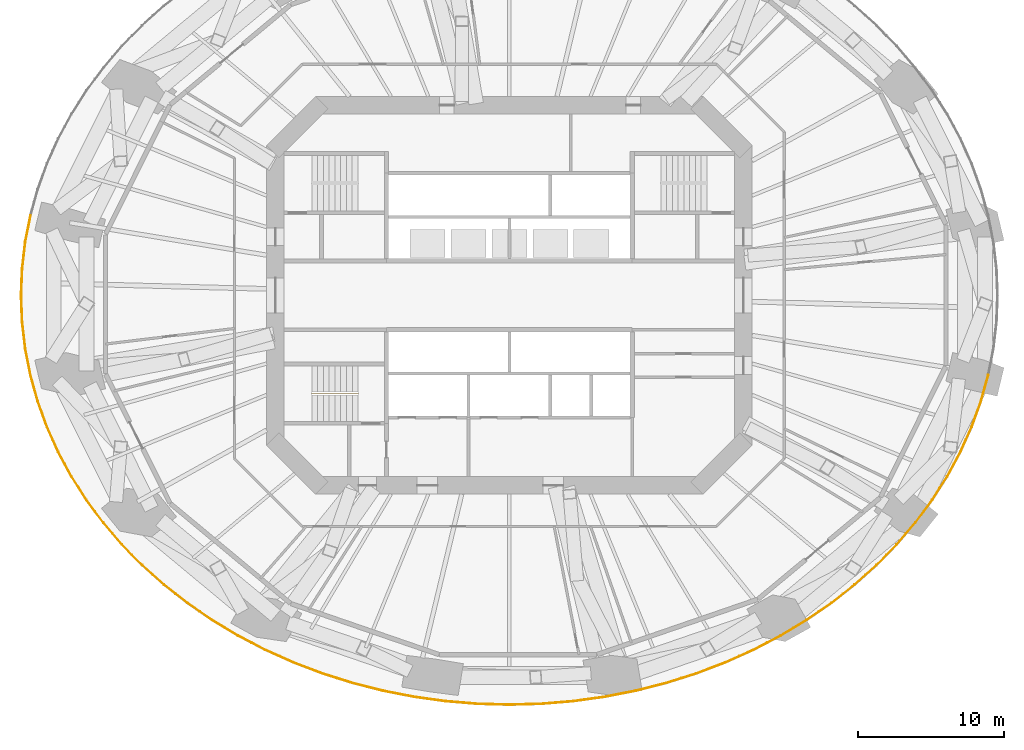
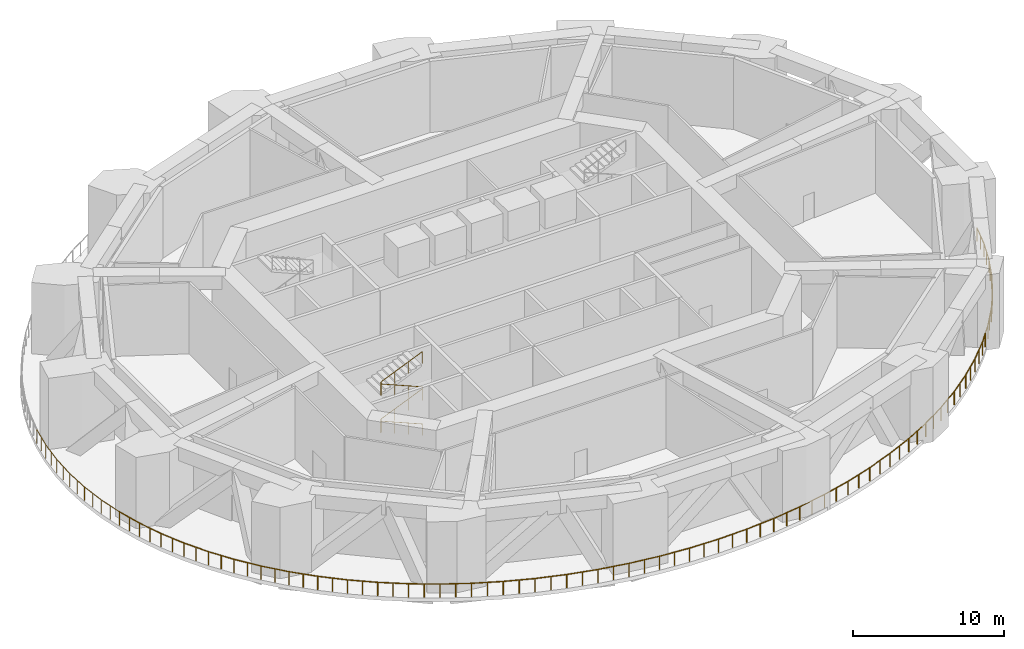
# One storey, part 9 of 12: 9 railings.
"""IFC4 building model written with IfcOpenShell, lengths in metres."""

import ifcopenshell
import ifcopenshell.guid

model = None  # the IFC model being written
_history = None  # IfcOwnerHistory: only IFC2X3 demands one
_inside = {}  # id of a spatial element -> (the spatial element, [elements in it])
_under = {}  # id of a project, library or spatial element -> (it, [spatial elements below it])
_declared = {}  # id of a project -> (the project, [libraries it declares])
_typed = {}  # id of a type object -> (the type object, [elements of that type])
_made_of = {}  # id of a material, layer set ... -> (it, [elements and type objects made of it])


def new_model(schema):
    """Start an empty IFC model of exactly this schema.

    Asked for "IFC4X3", IfcOpenShell would pick the latest addendum, in which some entities
    have other attributes; the version numbers below select the first issue.
    IFC2X3 requires an IfcOwnerHistory on every rooted entity: one is made here for all.
    """
    global model, _history
    if schema == "IFC4X3":
        model = ifcopenshell.file(schema_version=(4, 3, 0, 0))
    else:
        model = ifcopenshell.file(schema=schema)
    _inside.clear()
    _under.clear()
    _declared.clear()
    _typed.clear()
    _made_of.clear()
    _history = None
    if model.schema == "IFC2X3":
        org = make("IfcOrganization", Name="unknown")
        user = make(
            "IfcPersonAndOrganization",
            ThePerson=make("IfcPerson", FamilyName="unknown"),
            TheOrganization=org,
        )
        app = make(
            "IfcApplication",
            ApplicationDeveloper=org,
            Version="unknown",
            ApplicationFullName="unknown",
            ApplicationIdentifier="unknown",
        )
        _history = make(
            "IfcOwnerHistory",
            OwningUser=user,
            OwningApplication=app,
            ChangeAction="ADDED",
            CreationDate=0,
        )
    return model


def make(cls, **values):
    """One entity of the class cls with the attributes given. An attribute that is None is left unset."""
    return model.create_entity(
        cls, **{name: value for name, value in values.items() if value is not None}
    )


def rooted(cls, **values):
    """An entity with a GlobalId (a new one), such as an element, a storey or a relation."""
    return make(cls, GlobalId=ifcopenshell.guid.new(), OwnerHistory=_history, **values)


def si_unit(unit_type, name, prefix=None):
    """IfcSIUnit, for example si_unit("LENGTHUNIT", "METRE", prefix="MILLI")."""
    return make("IfcSIUnit", UnitType=unit_type, Prefix=prefix, Name=name)


def assignment(units):
    """IfcUnitAssignment: the units of a project."""
    return None if units is None else make("IfcUnitAssignment", Units=units)


def point(xyz):
    """IfcCartesianPoint."""
    return None if xyz is None else make("IfcCartesianPoint", Coordinates=xyz)


def direction(xyz):
    """IfcDirection."""
    return None if xyz is None else make("IfcDirection", DirectionRatios=xyz)


def frame(location, z_axis=None, x_axis=None):
    """IfcAxis2Placement3D, a coordinate frame: its origin and axes. An axis left out is left unset."""
    return make(
        "IfcAxis2Placement3D",
        Location=point(location),
        Axis=direction(z_axis),
        RefDirection=direction(x_axis),
    )


def frame_2d(location, x_axis=None):
    """IfcAxis2Placement2D, a coordinate frame in the plane: its origin and x axis."""
    return make(
        "IfcAxis2Placement2D", Location=point(location), RefDirection=direction(x_axis)
    )


def origin():
    """The frame at (0, 0, 0) with its axes left unset."""
    return frame((0.0, 0.0, 0.0))


def origin_2d():
    """The frame at (0, 0) in the plane with its x axis left unset."""
    return frame_2d((0.0, 0.0))


def place(relative_to, where):
    """IfcLocalPlacement: puts the frame where relative to a parent placement (None: the world)."""
    return make(
        "IfcLocalPlacement", PlacementRelTo=relative_to, RelativePlacement=where
    )


def context(
    kind, dimensions, precision=None, world=None, true_north=None, identifier=None
):
    """IfcGeometricRepresentationContext, for example the 3D "Model" context."""
    return make(
        "IfcGeometricRepresentationContext",
        ContextIdentifier=identifier,
        ContextType=kind,
        CoordinateSpaceDimension=dimensions,
        Precision=precision,
        WorldCoordinateSystem=world,
        TrueNorth=true_north,
    )


def subcontext(parent, identifier, kind, view, scale=None):
    """IfcGeometricRepresentationSubContext, for example "Body" below "Model"."""
    return make(
        "IfcGeometricRepresentationSubContext",
        ContextIdentifier=identifier,
        ContextType=kind,
        ParentContext=parent,
        TargetScale=scale,
        TargetView=view,
    )


def project(units=None, contexts=None):
    """IfcProject with its units and contexts."""
    return rooted(
        "IfcProject",
        Name="project",
        RepresentationContexts=contexts,
        UnitsInContext=assignment(units),
    )


def spatial(cls, under=None, at=None, **own):
    """A site, building, storey or space (cls), placed at a placement, below another one or the project."""
    s = rooted(cls, ObjectPlacement=at, **own)
    if under is not None:
        _under.setdefault(under.id(), (under, []))[1].append(s)
    return s


def profile(cls, at=None, kind="AREA", **sizes):
    """A parametric profile (cls). Its sizes go by their IFC names, for example OverallWidth=200.0."""
    return make(cls, ProfileType=kind, Position=at, **sizes)


def circle(**sizes):
    """IfcCircleProfileDef."""
    return profile("IfcCircleProfileDef", **sizes)


def extrude(swept, where, along, depth):
    """IfcExtrudedAreaSolid: the profile swept, set in the frame where, extruded along a direction by depth."""
    return make(
        "IfcExtrudedAreaSolid",
        SweptArea=swept,
        Position=where,
        ExtrudedDirection=direction(along),
        Depth=depth,
    )


def shape(context_of_items, identifier, shape_type, items):
    """IfcShapeRepresentation: the items that make up one representation, for example the "Body"."""
    return make(
        "IfcShapeRepresentation",
        ContextOfItems=context_of_items,
        RepresentationIdentifier=identifier,
        RepresentationType=shape_type,
        Items=items,
    )


def material(Name=None, Category=None):
    """IfcMaterial."""
    return make("IfcMaterial", Name=Name, Category=Category)


def made_of(thing, what):
    """Note that an element or type object is made of a material, layer set ...; save() writes the relation."""
    if what is not None:
        _made_of.setdefault(what.id(), (what, []))[1].append(thing)
    return thing


def type_object(cls, material=None, **own):
    """A type object (cls), such as IfcWallType, which elements share."""
    return made_of(rooted(cls, **own), material)


def element(
    cls,
    number,
    at=None,
    inside=None,
    cuts=None,
    type_object=None,
    material=None,
    context=None,
    identifier="Body",
    shape_type=None,
    held_by="IfcProductDefinitionShape",
    body=None,
    shapes=None,
    **own,
):
    """One element of the class cls, such as IfcWall. Its Tag is "e" and its number.

    at: its placement. inside: the storey or other place that contains it. cuts: it is an
    opening in that element (IfcRelVoidsElement). A single representation is given by context,
    identifier, shape_type and body (its items); several are given by shapes. held_by: the class
    of the entity that holds the representations. save() writes the other relations.
    """
    e = rooted(cls, Tag="e%d" % number, ObjectPlacement=at, **own)
    if body is not None:
        shapes = [shape(context, identifier, shape_type, body)]
    if shapes is not None:
        e.Representation = make(held_by, Representations=shapes)
    if inside is not None:
        _inside.setdefault(inside.id(), (inside, []))[1].append(e)
    if cuts is not None:
        rooted(
            "IfcRelVoidsElement", RelatingBuildingElement=cuts, RelatedOpeningElement=e
        )
    if type_object is not None:
        _typed.setdefault(type_object.id(), (type_object, []))[1].append(e)
    return made_of(e, material)


def aggregate(whole, parts):
    """IfcRelAggregates: a whole, such as a stair, and the parts it consists of."""
    return rooted("IfcRelAggregates", RelatingObject=whole, RelatedObjects=parts)


def save(model, path):
    """Write the relations noted so far, then the file.

    IfcRelAggregates (storeys below a building ...), IfcRelContainedInSpatialStructure (elements
    in a storey), IfcRelDefinesByType, IfcRelAssociatesMaterial and IfcRelDeclares: one each for
    every whole, place, type object, material and project.
    """
    for whole, parts in _under.values():
        aggregate(whole, parts)
    for where, things in _inside.values():
        rooted(
            "IfcRelContainedInSpatialStructure",
            RelatedElements=things,
            RelatingStructure=where,
        )
    for kind, things in _typed.values():
        rooted("IfcRelDefinesByType", RelatedObjects=things, RelatingType=kind)
    for what, things in _made_of.values():
        rooted("IfcRelAssociatesMaterial", RelatedObjects=things, RelatingMaterial=what)
    for by, libraries in _declared.values():
        rooted("IfcRelDeclares", RelatingContext=by, RelatedDefinitions=libraries)
    model.write(path)


model = new_model("IFC4")

# Units and contexts
model_context = context("Model", 3, precision=1e-05, world=origin(), true_north=direction((0.0, 1.0)))
body_context = subcontext(model_context, "Body", "Model", "MODEL_VIEW")
ifc_project = project(units=[si_unit("LENGTHUNIT", "METRE"), si_unit("AREAUNIT", "SQUARE_METRE"), si_unit("VOLUMEUNIT", "CUBIC_METRE"), si_unit("PLANEANGLEUNIT", "RADIAN"), si_unit("MASSUNIT", "GRAM", prefix="KILO")], contexts=[model_context])

# Site, building, storey
site_placement = place(None, origin())
site = spatial("IfcSite", under=ifc_project, at=site_placement, CompositionType="ELEMENT")
building_placement = place(site_placement, origin())
building = spatial("IfcBuilding", under=site, at=building_placement, Name="Marenthal Gate Tower", CompositionType="ELEMENT")
storey_placement = place(building_placement, frame((0.0, 0.0, 149.64990234375)))
storey = spatial("IfcBuildingStorey", under=building, at=storey_placement, Name="L32", CompositionType="ELEMENT", Elevation=149.64990234375)

# Railings
ifc_material_1 = material(Name="Stainless steel", Category="steel")
railing_type_1 = type_object("IfcRailingType", Name="Balcony guard 1100", PredefinedType="GUARDRAIL", material=ifc_material_1)
railing_1_placement = place(storey_placement, frame((-32.7412109375, 5.459228515625, 0.0)))
element("IfcRailing", 1, at=railing_1_placement, inside=storey, type_object=railing_type_1, Name="Refuge band guard L32 bay 8", PredefinedType="GUARDRAIL", context=body_context, shape_type="SweptSolid", body=[
    extrude(circle(Radius=0.02392578125, at=origin_2d()), frame((0.0, 0.0, 1.076171875), z_axis=(-0.193030229878, -0.981192809978, 0.0), x_axis=(0.981192809978, -0.193030229878, 0.0)), (0.0, 0.0, 1.0), 1.841552734375),
    extrude(circle(Radius=0.02392578125, at=origin_2d()), frame((-0.35546875, -1.806884765625, 1.076171875), z_axis=(-0.116563309065, -0.993183263542, 0.0), x_axis=(0.993183263542, -0.116563309065, 0.0)), (0.0, 0.0, 1.0), 1.834716796875),
    extrude(circle(Radius=0.02392578125, at=origin_2d()), frame((-0.5693359375, -3.629150390625, 1.076171875), z_axis=(-0.039057687902, -0.999236957391, 0.0), x_axis=(0.999236957391, -0.039057687902, 0.0)), (0.0, 0.0, 1.0), 1.83154296875),
    extrude(circle(Radius=0.02392578125, at=origin_2d()), frame((-0.640869140625, -5.459228515625, 1.076171875), z_axis=(0.039057687902, -0.999236957391, 0.0), x_axis=(0.999236957391, 0.039057687902, 0.0)), (0.0, 0.0, 1.0), 1.83154296875),
    extrude(circle(Radius=0.02392578125, at=origin_2d()), frame((-0.5693359375, -7.289306640625, 1.076171875), z_axis=(0.116563309065, -0.993183263542, 0.0), x_axis=(0.993183263542, 0.116563309065, 0.0)), (0.0, 0.0, 1.0), 1.834716796875),
    extrude(circle(Radius=0.02392578125, at=origin_2d()), frame((-0.35546875, -9.111572265625, 1.076171875), z_axis=(0.193030229878, -0.981192809978, 0.0), x_axis=(0.981192809978, 0.193030229878, 0.0)), (0.0, 0.0, 1.0), 1.841552734375),
    extrude(circle(Radius=0.02099609375, at=origin_2d()), origin(), (0.0, 0.0, 1.0), 1.052001953125),
    extrude(circle(Radius=0.02099609375, at=origin_2d()), frame((-0.177734375, -0.9033203125, 0.0)), (0.0, 0.0, 1.0), 1.052001953125),
    extrude(circle(Radius=0.02099609375, at=origin_2d()), frame((-0.35546875, -1.806884765625, 0.0)), (0.0, 0.0, 1.0), 1.052001953125),
    extrude(circle(Radius=0.02099609375, at=origin_2d()), frame((-0.46240234375, -2.718017578125, 0.0)), (0.0, 0.0, 1.0), 1.052001953125),
    extrude(circle(Radius=0.02099609375, at=origin_2d()), frame((-0.5693359375, -3.629150390625, 0.0)), (0.0, 0.0, 1.0), 1.052001953125),
    extrude(circle(Radius=0.02099609375, at=origin_2d()), frame((-0.60498046875, -4.544189453125, 0.0)), (0.0, 0.0, 1.0), 1.052001953125),
    extrude(circle(Radius=0.02099609375, at=origin_2d()), frame((-0.640869140625, -5.459228515625, 0.0)), (0.0, 0.0, 1.0), 1.052001953125),
    extrude(circle(Radius=0.02099609375, at=origin_2d()), frame((-0.60498046875, -6.374267578125, 0.0)), (0.0, 0.0, 1.0), 1.052001953125),
    extrude(circle(Radius=0.02099609375, at=origin_2d()), frame((-0.5693359375, -7.289306640625, 0.0)), (0.0, 0.0, 1.0), 1.052001953125),
    extrude(circle(Radius=0.02099609375, at=origin_2d()), frame((-0.46240234375, -8.200439453125, 0.0)), (0.0, 0.0, 1.0), 1.052001953125),
    extrude(circle(Radius=0.02099609375, at=origin_2d()), frame((-0.35546875, -9.111572265625, 0.0)), (0.0, 0.0, 1.0), 1.052001953125),
    extrude(circle(Radius=0.02099609375, at=origin_2d()), frame((-0.177734375, -10.01513671875, 0.0)), (0.0, 0.0, 1.0), 1.052001953125),
    extrude(circle(Radius=0.02099609375, at=origin_2d()), frame((0.0, -10.91845703125, 0.0)), (0.0, 0.0, 1.0), 1.052001953125),
])
railing_2_placement = place(storey_placement, frame((-32.7412109375, -5.459228515625, 0.0)))
element("IfcRailing", 2, at=railing_2_placement, inside=storey, type_object=railing_type_1, Name="Refuge band guard L32 bay 9", PredefinedType="GUARDRAIL", context=body_context, shape_type="SweptSolid", body=[
    extrude(circle(Radius=0.02392578125, at=origin_2d()), frame((0.0, 0.0, 1.076171875), z_axis=(0.267745901035, -0.96348956013, 0.0), x_axis=(0.96348956013, 0.267745901035, 0.0)), (0.0, 0.0, 1.0), 1.85107421875),
    extrude(circle(Radius=0.02392578125, at=origin_2d()), frame((0.49560546875, -1.783447265625, 1.076171875), z_axis=(0.339985708221, -0.940430602546, 0.0), x_axis=(0.940430602546, 0.339985708221, 0.0)), (0.0, 0.0, 1.0), 1.863525390625),
    extrude(circle(Radius=0.02392578125, at=origin_2d()), frame((1.129150390625, -3.535888671875, 1.076171875), z_axis=(0.409235005447, -0.912429016591, 0.0), x_axis=(0.912429016591, 0.409235005447, 0.0)), (0.0, 0.0, 1.0), 1.878662109375),
    extrude(circle(Radius=0.02392578125, at=origin_2d()), frame((1.89794921875, -5.25, 1.076171875), z_axis=(0.475212709852, -0.879870945307, 0.0), x_axis=(0.879870945307, 0.475212709852, 0.0)), (0.0, 0.0, 1.0), 1.896240234375),
    extrude(circle(Radius=0.02392578125, at=origin_2d()), frame((2.799072265625, -6.91845703125, 1.076171875), z_axis=(0.537254826566, -0.843419973282, 0.0), x_axis=(0.843419973282, 0.537254826566, 0.0)), (0.0, 0.0, 1.0), 1.915283203125),
    extrude(circle(Radius=0.02392578125, at=origin_2d()), frame((3.828125, -8.533935546875, 1.076171875), z_axis=(0.595471752599, -0.803376245514, 0.0), x_axis=(0.803376245514, 0.595471752599, 0.0)), (0.0, 0.0, 1.0), 1.9365234375),
    extrude(circle(Radius=0.02099609375, at=origin_2d()), origin(), (0.0, 0.0, 1.0), 1.052001953125),
    extrude(circle(Radius=0.02099609375, at=origin_2d()), frame((0.247802734375, -0.8916015625, 0.0)), (0.0, 0.0, 1.0), 1.052001953125),
    extrude(circle(Radius=0.02099609375, at=origin_2d()), frame((0.49560546875, -1.783447265625, 0.0)), (0.0, 0.0, 1.0), 1.052001953125),
    extrude(circle(Radius=0.02099609375, at=origin_2d()), frame((0.8125, -2.65966796875, 0.0)), (0.0, 0.0, 1.0), 1.052001953125),
    extrude(circle(Radius=0.02099609375, at=origin_2d()), frame((1.129150390625, -3.535888671875, 0.0)), (0.0, 0.0, 1.0), 1.052001953125),
    extrude(circle(Radius=0.02099609375, at=origin_2d()), frame((1.513671875, -4.39306640625, 0.0)), (0.0, 0.0, 1.0), 1.052001953125),
    extrude(circle(Radius=0.02099609375, at=origin_2d()), frame((1.89794921875, -5.25, 0.0)), (0.0, 0.0, 1.0), 1.052001953125),
    extrude(circle(Radius=0.02099609375, at=origin_2d()), frame((2.3486328125, -6.084228515625, 0.0)), (0.0, 0.0, 1.0), 1.052001953125),
    extrude(circle(Radius=0.02099609375, at=origin_2d()), frame((2.799072265625, -6.91845703125, 0.0)), (0.0, 0.0, 1.0), 1.052001953125),
    extrude(circle(Radius=0.02099609375, at=origin_2d()), frame((3.3134765625, -7.72607421875, 0.0)), (0.0, 0.0, 1.0), 1.052001953125),
    extrude(circle(Radius=0.02099609375, at=origin_2d()), frame((3.828125, -8.533935546875, 0.0)), (0.0, 0.0, 1.0), 1.052001953125),
    extrude(circle(Radius=0.02099609375, at=origin_2d()), frame((4.40478515625, -9.311767578125, 0.0)), (0.0, 0.0, 1.0), 1.052001953125),
    extrude(circle(Radius=0.02099609375, at=origin_2d()), frame((4.981201171875, -10.089599609375, 0.0)), (0.0, 0.0, 1.0), 1.052001953125),
])
railing_3_placement = place(storey_placement, frame((-27.760009765625, -15.548828125, 0.0)))
element("IfcRailing", 3, at=railing_3_placement, inside=storey, type_object=railing_type_1, Name="Refuge band guard L32 bay 10", PredefinedType="GUARDRAIL", context=body_context, shape_type="SweptSolid", body=[
    extrude(circle(Radius=0.02392578125, at=origin_2d()), frame((0.0, 0.0, 1.076171875), z_axis=(0.649322174047, -0.760513454379, 0.0), x_axis=(0.760513454379, 0.649322174047, 0.0)), (0.0, 0.0, 1.0), 1.95849609375),
    extrude(circle(Radius=0.02392578125, at=origin_2d()), frame((1.271728515625, -1.489501953125, 1.076171875), z_axis=(0.699300999603, -0.714827330167, 0.0), x_axis=(0.714827330167, 0.699300999603, 0.0)), (0.0, 0.0, 1.0), 1.981201171875),
    extrude(circle(Radius=0.02392578125, at=origin_2d()), frame((2.6572265625, -2.90576171875, 1.076171875), z_axis=(0.744776062961, -0.667314480616, 0.0), x_axis=(0.667314480616, 0.744776062961, 0.0)), (0.0, 0.0, 1.0), 2.004638671875),
    extrude(circle(Radius=0.02392578125, at=origin_2d()), frame((4.150146484375, -4.243408203125, 1.076171875), z_axis=(0.786301624958, -0.617842823531, 0.0), x_axis=(0.617842823531, 0.786301624958, 0.0)), (0.0, 0.0, 1.0), 2.027587890625),
    extrude(circle(Radius=0.02392578125, at=origin_2d()), frame((5.744384765625, -5.49609375, 1.076171875), z_axis=(0.823583008106, -0.567195758763, 0.0), x_axis=(0.567195758763, 0.823583008106, 0.0)), (0.0, 0.0, 1.0), 2.050048828125),
    extrude(circle(Radius=0.02392578125, at=origin_2d()), frame((7.432861328125, -6.658935546875, 1.076171875), z_axis=(0.85704556715, -0.51524061935, 0.0), x_axis=(0.51524061935, 0.85704556715, 0.0)), (0.0, 0.0, 1.0), 2.072021484375),
    extrude(circle(Radius=0.02099609375, at=origin_2d()), origin(), (0.0, 0.0, 1.0), 1.052001953125),
    extrude(circle(Radius=0.02099609375, at=origin_2d()), frame((0.6357421875, -0.74462890625, 0.0)), (0.0, 0.0, 1.0), 1.052001953125),
    extrude(circle(Radius=0.02099609375, at=origin_2d()), frame((1.271728515625, -1.489501953125, 0.0)), (0.0, 0.0, 1.0), 1.052001953125),
    extrude(circle(Radius=0.02099609375, at=origin_2d()), frame((1.96435546875, -2.19775390625, 0.0)), (0.0, 0.0, 1.0), 1.052001953125),
    extrude(circle(Radius=0.02099609375, at=origin_2d()), frame((2.6572265625, -2.90576171875, 0.0)), (0.0, 0.0, 1.0), 1.052001953125),
    extrude(circle(Radius=0.02099609375, at=origin_2d()), frame((3.40380859375, -3.57470703125, 0.0)), (0.0, 0.0, 1.0), 1.052001953125),
    extrude(circle(Radius=0.02099609375, at=origin_2d()), frame((4.150146484375, -4.243408203125, 0.0)), (0.0, 0.0, 1.0), 1.052001953125),
    extrude(circle(Radius=0.02099609375, at=origin_2d()), frame((4.947265625, -4.86962890625, 0.0)), (0.0, 0.0, 1.0), 1.052001953125),
    extrude(circle(Radius=0.02099609375, at=origin_2d()), frame((5.744384765625, -5.49609375, 0.0)), (0.0, 0.0, 1.0), 1.052001953125),
    extrude(circle(Radius=0.02099609375, at=origin_2d()), frame((6.588623046875, -6.07763671875, 0.0)), (0.0, 0.0, 1.0), 1.052001953125),
    extrude(circle(Radius=0.02099609375, at=origin_2d()), frame((7.432861328125, -6.658935546875, 0.0)), (0.0, 0.0, 1.0), 1.052001953125),
    extrude(circle(Radius=0.02099609375, at=origin_2d()), frame((8.32080078125, -7.19287109375, 0.0)), (0.0, 0.0, 1.0), 1.052001953125),
    extrude(circle(Radius=0.02099609375, at=origin_2d()), frame((9.208740234375, -7.7265625, 0.0)), (0.0, 0.0, 1.0), 1.052001953125),
])
railing_4_placement = place(storey_placement, frame((-18.55126953125, -23.275390625, 0.0)))
element("IfcRailing", 4, at=railing_4_placement, inside=storey, type_object=railing_type_1, Name="Refuge band guard L32 bay 11", PredefinedType="GUARDRAIL", context=body_context, shape_type="SweptSolid", body=[
    extrude(circle(Radius=0.02392578125, at=origin_2d()), frame((0.0, 0.0, 1.076171875), z_axis=(0.886570283729, -0.462593916961, 0.0), x_axis=(0.462593916961, 0.886570283729, 0.0)), (0.0, 0.0, 1.0), 2.092529296875),
    extrude(circle(Radius=0.02392578125, at=origin_2d()), frame((1.855224609375, -0.968017578125, 1.076171875), z_axis=(0.912414062533, -0.409268345333, 0.0), x_axis=(0.409268345333, 0.912414062533, 0.0)), (0.0, 0.0, 1.0), 2.11181640625),
    extrude(circle(Radius=0.02392578125, at=origin_2d()), frame((3.781982421875, -1.832275390625, 1.076171875), z_axis=(0.934736360332, -0.355341999591, 0.0), x_axis=(0.355341999591, 0.934736360332, 0.0)), (0.0, 0.0, 1.0), 2.129150390625),
    extrude(circle(Radius=0.02392578125, at=origin_2d()), frame((5.772216796875, -2.5888671875, 1.076171875), z_axis=(0.953584385732, -0.301125919324, 0.0), x_axis=(0.301125919324, 0.953584385732, 0.0)), (0.0, 0.0, 1.0), 2.14453125),
    extrude(circle(Radius=0.02392578125, at=origin_2d()), frame((7.817138671875, -3.234619140625, 1.076171875), z_axis=(0.969102091628, -0.246659960274, 0.0), x_axis=(0.246659960274, 0.969102091628, 0.0)), (0.0, 0.0, 1.0), 2.15771484375),
    extrude(circle(Radius=0.02392578125, at=origin_2d()), frame((9.908203125, -3.766845703125, 1.076171875), z_axis=(0.98140326105, -0.19195738902, 0.0), x_axis=(0.19195738902, 0.98140326105, 0.0)), (0.0, 0.0, 1.0), 2.16845703125),
    extrude(circle(Radius=0.02099609375, at=origin_2d()), origin(), (0.0, 0.0, 1.0), 1.052001953125),
    extrude(circle(Radius=0.02099609375, at=origin_2d()), frame((0.927734375, -0.48388671875, 0.0)), (0.0, 0.0, 1.0), 1.052001953125),
    extrude(circle(Radius=0.02099609375, at=origin_2d()), frame((1.855224609375, -0.968017578125, 0.0)), (0.0, 0.0, 1.0), 1.052001953125),
    extrude(circle(Radius=0.02099609375, at=origin_2d()), frame((2.818603515625, -1.400146484375, 0.0)), (0.0, 0.0, 1.0), 1.052001953125),
    extrude(circle(Radius=0.02099609375, at=origin_2d()), frame((3.781982421875, -1.832275390625, 0.0)), (0.0, 0.0, 1.0), 1.052001953125),
    extrude(circle(Radius=0.02099609375, at=origin_2d()), frame((4.777099609375, -2.21044921875, 0.0)), (0.0, 0.0, 1.0), 1.052001953125),
    extrude(circle(Radius=0.02099609375, at=origin_2d()), frame((5.772216796875, -2.5888671875, 0.0)), (0.0, 0.0, 1.0), 1.052001953125),
    extrude(circle(Radius=0.02099609375, at=origin_2d()), frame((6.794677734375, -2.91162109375, 0.0)), (0.0, 0.0, 1.0), 1.052001953125),
    extrude(circle(Radius=0.02099609375, at=origin_2d()), frame((7.817138671875, -3.234619140625, 0.0)), (0.0, 0.0, 1.0), 1.052001953125),
    extrude(circle(Radius=0.02099609375, at=origin_2d()), frame((8.86279296875, -3.500732421875, 0.0)), (0.0, 0.0, 1.0), 1.052001953125),
    extrude(circle(Radius=0.02099609375, at=origin_2d()), frame((9.908203125, -3.766845703125, 0.0)), (0.0, 0.0, 1.0), 1.052001953125),
    extrude(circle(Radius=0.02099609375, at=origin_2d()), frame((10.97216796875, -3.97509765625, 0.0)), (0.0, 0.0, 1.0), 1.052001953125),
    extrude(circle(Radius=0.02099609375, at=origin_2d()), frame((12.036376953125, -4.18310546875, 0.0)), (0.0, 0.0, 1.0), 1.052001953125),
])
railing_5_placement = place(storey_placement, frame((-6.514892578125, -27.45849609375, 0.0)))
element("IfcRailing", 5, at=railing_5_placement, inside=storey, type_object=railing_type_1, Name="Refuge band guard L32 bay 12", PredefinedType="GUARDRAIL", context=body_context, shape_type="SweptSolid", body=[
    extrude(circle(Radius=0.02392578125, at=origin_2d()), frame((0.0, 0.0, 1.076171875), z_axis=(0.990530867855, -0.13729020295, 0.0), x_axis=(0.13729020295, 0.990530867855, 0.0)), (0.0, 0.0, 1.0), 2.176513671875),
    extrude(circle(Radius=0.02392578125, at=origin_2d()), frame((2.156005859375, -0.298828125, 1.076171875), z_axis=(0.996604149015, -0.082341788693, 0.0), x_axis=(0.082341788693, 0.996604149015, 0.0)), (0.0, 0.0, 1.0), 2.18212890625),
    extrude(circle(Radius=0.02392578125, at=origin_2d()), frame((4.330810546875, -0.478515625, 1.076171875), z_axis=(0.999622135389, -0.02748793263, 0.0), x_axis=(0.02748793263, 0.999622135389, 0.0)), (0.0, 0.0, 1.0), 2.184814453125),
    extrude(circle(Radius=0.02392578125, at=origin_2d()), frame((6.514892578125, -0.53857421875, 1.076171875), z_axis=(0.999622135389, 0.02748793263, 0.0), x_axis=(-0.02748793263, 0.999622135389, 0.0)), (0.0, 0.0, 1.0), 2.184814453125),
    extrude(circle(Radius=0.02392578125, at=origin_2d()), frame((8.698974609375, -0.478515625, 1.076171875), z_axis=(0.996604149015, 0.082341788693, 0.0), x_axis=(-0.082341788693, 0.996604149015, 0.0)), (0.0, 0.0, 1.0), 2.18212890625),
    extrude(circle(Radius=0.02392578125, at=origin_2d()), frame((10.873779296875, -0.298828125, 1.076171875), z_axis=(0.990530867855, 0.13729020295, 0.0), x_axis=(-0.13729020295, 0.990530867855, 0.0)), (0.0, 0.0, 1.0), 2.176513671875),
    extrude(circle(Radius=0.02099609375, at=origin_2d()), origin(), (0.0, 0.0, 1.0), 1.052001953125),
    extrude(circle(Radius=0.02099609375, at=origin_2d()), frame((1.078125, -0.1494140625, 0.0)), (0.0, 0.0, 1.0), 1.052001953125),
    extrude(circle(Radius=0.02099609375, at=origin_2d()), frame((2.156005859375, -0.298828125, 0.0)), (0.0, 0.0, 1.0), 1.052001953125),
    extrude(circle(Radius=0.02099609375, at=origin_2d()), frame((3.243408203125, -0.388671875, 0.0)), (0.0, 0.0, 1.0), 1.052001953125),
    extrude(circle(Radius=0.02099609375, at=origin_2d()), frame((4.330810546875, -0.478515625, 0.0)), (0.0, 0.0, 1.0), 1.052001953125),
    extrude(circle(Radius=0.02099609375, at=origin_2d()), frame((5.4228515625, -0.508544921875, 0.0)), (0.0, 0.0, 1.0), 1.052001953125),
    extrude(circle(Radius=0.02099609375, at=origin_2d()), frame((6.514892578125, -0.53857421875, 0.0)), (0.0, 0.0, 1.0), 1.052001953125),
    extrude(circle(Radius=0.02099609375, at=origin_2d()), frame((7.60693359375, -0.508544921875, 0.0)), (0.0, 0.0, 1.0), 1.052001953125),
    extrude(circle(Radius=0.02099609375, at=origin_2d()), frame((8.698974609375, -0.478515625, 0.0)), (0.0, 0.0, 1.0), 1.052001953125),
    extrude(circle(Radius=0.02099609375, at=origin_2d()), frame((9.786376953125, -0.388671875, 0.0)), (0.0, 0.0, 1.0), 1.052001953125),
    extrude(circle(Radius=0.02099609375, at=origin_2d()), frame((10.873779296875, -0.298828125, 0.0)), (0.0, 0.0, 1.0), 1.052001953125),
    extrude(circle(Radius=0.02099609375, at=origin_2d()), frame((11.95166015625, -0.1494140625, 0.0)), (0.0, 0.0, 1.0), 1.052001953125),
    extrude(circle(Radius=0.02099609375, at=origin_2d()), frame((13.02978515625, 0.0, 0.0)), (0.0, 0.0, 1.0), 1.052001953125),
])
railing_6_placement = place(storey_placement, frame((6.514892578125, -27.45849609375, 0.0)))
element("IfcRailing", 6, at=railing_6_placement, inside=storey, type_object=railing_type_1, Name="Refuge band guard L32 bay 13", PredefinedType="GUARDRAIL", context=body_context, shape_type="SweptSolid", body=[
    extrude(circle(Radius=0.02392578125, at=origin_2d()), frame((0.0, 0.0, 1.076171875), z_axis=(0.98140326105, 0.19195738902, 0.0), x_axis=(-0.19195738902, 0.98140326105, 0.0)), (0.0, 0.0, 1.0), 2.16845703125),
    extrude(circle(Radius=0.02392578125, at=origin_2d()), frame((2.128173828125, 0.416259765625, 1.076171875), z_axis=(0.969102091628, 0.246659960274, 0.0), x_axis=(-0.246659960274, 0.969102091628, 0.0)), (0.0, 0.0, 1.0), 2.15771484375),
    extrude(circle(Radius=0.02392578125, at=origin_2d()), frame((4.21923828125, 0.948486328125, 1.076171875), z_axis=(0.953584385732, 0.301125919324, 0.0), x_axis=(-0.301125919324, 0.953584385732, 0.0)), (0.0, 0.0, 1.0), 2.14453125),
    extrude(circle(Radius=0.02392578125, at=origin_2d()), frame((6.26416015625, 1.59423828125, 1.076171875), z_axis=(0.934736360332, 0.355341999591, 0.0), x_axis=(-0.355341999591, 0.934736360332, 0.0)), (0.0, 0.0, 1.0), 2.129150390625),
    extrude(circle(Radius=0.02392578125, at=origin_2d()), frame((8.25439453125, 2.350830078125, 1.076171875), z_axis=(0.912414062533, 0.409268345333, 0.0), x_axis=(-0.409268345333, 0.912414062533, 0.0)), (0.0, 0.0, 1.0), 2.11181640625),
    extrude(circle(Radius=0.02392578125, at=origin_2d()), frame((10.18115234375, 3.215087890625, 1.076171875), z_axis=(0.886570283729, 0.462593916961, 0.0), x_axis=(-0.462593916961, 0.886570283729, 0.0)), (0.0, 0.0, 1.0), 2.092529296875),
    extrude(circle(Radius=0.02099609375, at=origin_2d()), origin(), (0.0, 0.0, 1.0), 1.052001953125),
    extrude(circle(Radius=0.02099609375, at=origin_2d()), frame((1.06396484375, 0.2080078125, 0.0)), (0.0, 0.0, 1.0), 1.052001953125),
    extrude(circle(Radius=0.02099609375, at=origin_2d()), frame((2.128173828125, 0.416259765625, 0.0)), (0.0, 0.0, 1.0), 1.052001953125),
    extrude(circle(Radius=0.02099609375, at=origin_2d()), frame((3.173828125, 0.682373046875, 0.0)), (0.0, 0.0, 1.0), 1.052001953125),
    extrude(circle(Radius=0.02099609375, at=origin_2d()), frame((4.21923828125, 0.948486328125, 0.0)), (0.0, 0.0, 1.0), 1.052001953125),
    extrude(circle(Radius=0.02099609375, at=origin_2d()), frame((5.24169921875, 1.271484375, 0.0)), (0.0, 0.0, 1.0), 1.052001953125),
    extrude(circle(Radius=0.02099609375, at=origin_2d()), frame((6.26416015625, 1.59423828125, 0.0)), (0.0, 0.0, 1.0), 1.052001953125),
    extrude(circle(Radius=0.02099609375, at=origin_2d()), frame((7.25927734375, 1.97265625, 0.0)), (0.0, 0.0, 1.0), 1.052001953125),
    extrude(circle(Radius=0.02099609375, at=origin_2d()), frame((8.25439453125, 2.350830078125, 0.0)), (0.0, 0.0, 1.0), 1.052001953125),
    extrude(circle(Radius=0.02099609375, at=origin_2d()), frame((9.2177734375, 2.782958984375, 0.0)), (0.0, 0.0, 1.0), 1.052001953125),
    extrude(circle(Radius=0.02099609375, at=origin_2d()), frame((10.18115234375, 3.215087890625, 0.0)), (0.0, 0.0, 1.0), 1.052001953125),
    extrude(circle(Radius=0.02099609375, at=origin_2d()), frame((11.10888671875, 3.69921875, 0.0)), (0.0, 0.0, 1.0), 1.052001953125),
    extrude(circle(Radius=0.02099609375, at=origin_2d()), frame((12.036376953125, 4.18310546875, 0.0)), (0.0, 0.0, 1.0), 1.052001953125),
])
railing_7_placement = place(storey_placement, frame((18.55126953125, -23.275390625, 0.0)))
element("IfcRailing", 7, at=railing_7_placement, inside=storey, type_object=railing_type_1, Name="Refuge band guard L32 bay 14", PredefinedType="GUARDRAIL", context=body_context, shape_type="SweptSolid", body=[
    extrude(circle(Radius=0.02392578125, at=origin_2d()), frame((0.0, 0.0, 1.076171875), z_axis=(0.85704556715, 0.51524061935, 0.0), x_axis=(-0.51524061935, 0.85704556715, 0.0)), (0.0, 0.0, 1.0), 2.072021484375),
    extrude(circle(Radius=0.02392578125, at=origin_2d()), frame((1.77587890625, 1.067626953125, 1.076171875), z_axis=(0.823583008106, 0.567195758763, 0.0), x_axis=(-0.567195758763, 0.823583008106, 0.0)), (0.0, 0.0, 1.0), 2.050048828125),
    extrude(circle(Radius=0.02392578125, at=origin_2d()), frame((3.46435546875, 2.23046875, 1.076171875), z_axis=(0.786301624958, 0.617842823531, 0.0), x_axis=(-0.617842823531, 0.786301624958, 0.0)), (0.0, 0.0, 1.0), 2.027587890625),
    extrude(circle(Radius=0.02392578125, at=origin_2d()), frame((5.05859375, 3.483154296875, 1.076171875), z_axis=(0.744776062961, 0.667314480616, 0.0), x_axis=(-0.667314480616, 0.744776062961, 0.0)), (0.0, 0.0, 1.0), 2.004638671875),
    extrude(circle(Radius=0.02392578125, at=origin_2d()), frame((6.551513671875, 4.82080078125, 1.076171875), z_axis=(0.699300999603, 0.714827330167, 0.0), x_axis=(-0.714827330167, 0.699300999603, 0.0)), (0.0, 0.0, 1.0), 1.981201171875),
    extrude(circle(Radius=0.02392578125, at=origin_2d()), frame((7.93701171875, 6.237060546875, 1.076171875), z_axis=(0.649322174047, 0.760513454379, 0.0), x_axis=(-0.760513454379, 0.649322174047, 0.0)), (0.0, 0.0, 1.0), 1.95849609375),
    extrude(circle(Radius=0.02099609375, at=origin_2d()), origin(), (0.0, 0.0, 1.0), 1.052001953125),
    extrude(circle(Radius=0.02099609375, at=origin_2d()), frame((0.887939453125, 0.53369140625, 0.0)), (0.0, 0.0, 1.0), 1.052001953125),
    extrude(circle(Radius=0.02099609375, at=origin_2d()), frame((1.77587890625, 1.067626953125, 0.0)), (0.0, 0.0, 1.0), 1.052001953125),
    extrude(circle(Radius=0.02099609375, at=origin_2d()), frame((2.6201171875, 1.64892578125, 0.0)), (0.0, 0.0, 1.0), 1.052001953125),
    extrude(circle(Radius=0.02099609375, at=origin_2d()), frame((3.46435546875, 2.23046875, 0.0)), (0.0, 0.0, 1.0), 1.052001953125),
    extrude(circle(Radius=0.02099609375, at=origin_2d()), frame((4.261474609375, 2.85693359375, 0.0)), (0.0, 0.0, 1.0), 1.052001953125),
    extrude(circle(Radius=0.02099609375, at=origin_2d()), frame((5.05859375, 3.483154296875, 0.0)), (0.0, 0.0, 1.0), 1.052001953125),
    extrude(circle(Radius=0.02099609375, at=origin_2d()), frame((5.80517578125, 4.15185546875, 0.0)), (0.0, 0.0, 1.0), 1.052001953125),
    extrude(circle(Radius=0.02099609375, at=origin_2d()), frame((6.551513671875, 4.82080078125, 0.0)), (0.0, 0.0, 1.0), 1.052001953125),
    extrude(circle(Radius=0.02099609375, at=origin_2d()), frame((7.244140625, 5.52880859375, 0.0)), (0.0, 0.0, 1.0), 1.052001953125),
    extrude(circle(Radius=0.02099609375, at=origin_2d()), frame((7.93701171875, 6.237060546875, 0.0)), (0.0, 0.0, 1.0), 1.052001953125),
    extrude(circle(Radius=0.02099609375, at=origin_2d()), frame((8.57275390625, 6.98193359375, 0.0)), (0.0, 0.0, 1.0), 1.052001953125),
    extrude(circle(Radius=0.02099609375, at=origin_2d()), frame((9.208740234375, 7.7265625, 0.0)), (0.0, 0.0, 1.0), 1.052001953125),
])
railing_8_placement = place(storey_placement, frame((27.760009765625, -15.548828125, 0.0)))
element("IfcRailing", 8, at=railing_8_placement, inside=storey, type_object=railing_type_1, Name="Refuge band guard L32 bay 15", PredefinedType="GUARDRAIL", context=body_context, shape_type="SweptSolid", body=[
    extrude(circle(Radius=0.02392578125, at=origin_2d()), frame((0.0, 0.0, 1.076171875), z_axis=(0.595471752599, 0.803376245514, 0.0), x_axis=(-0.803376245514, 0.595471752599, 0.0)), (0.0, 0.0, 1.0), 1.9365234375),
    extrude(circle(Radius=0.02392578125, at=origin_2d()), frame((1.153076171875, 1.5556640625, 1.076171875), z_axis=(0.537254826566, 0.843419973282, 0.0), x_axis=(-0.843419973282, 0.537254826566, 0.0)), (0.0, 0.0, 1.0), 1.915283203125),
    extrude(circle(Radius=0.02392578125, at=origin_2d()), frame((2.18212890625, 3.171142578125, 1.076171875), z_axis=(0.475212709852, 0.879870945307, 0.0), x_axis=(-0.879870945307, 0.475212709852, 0.0)), (0.0, 0.0, 1.0), 1.896240234375),
    extrude(circle(Radius=0.02392578125, at=origin_2d()), frame((3.083251953125, 4.839599609375, 1.076171875), z_axis=(0.409235005447, 0.912429016591, 0.0), x_axis=(-0.912429016591, 0.409235005447, 0.0)), (0.0, 0.0, 1.0), 1.878662109375),
    extrude(circle(Radius=0.02392578125, at=origin_2d()), frame((3.85205078125, 6.5537109375, 1.076171875), z_axis=(0.339985708221, 0.940430602546, 0.0), x_axis=(-0.940430602546, 0.339985708221, 0.0)), (0.0, 0.0, 1.0), 1.863525390625),
    extrude(circle(Radius=0.02392578125, at=origin_2d()), frame((4.485595703125, 8.30615234375, 1.076171875), z_axis=(0.267745901035, 0.96348956013, 0.0), x_axis=(-0.96348956013, 0.267745901035, 0.0)), (0.0, 0.0, 1.0), 1.85107421875),
    extrude(circle(Radius=0.02099609375, at=origin_2d()), origin(), (0.0, 0.0, 1.0), 1.052001953125),
    extrude(circle(Radius=0.02099609375, at=origin_2d()), frame((0.57666015625, 0.77783203125, 0.0)), (0.0, 0.0, 1.0), 1.052001953125),
    extrude(circle(Radius=0.02099609375, at=origin_2d()), frame((1.153076171875, 1.5556640625, 0.0)), (0.0, 0.0, 1.0), 1.052001953125),
    extrude(circle(Radius=0.02099609375, at=origin_2d()), frame((1.66748046875, 2.36328125, 0.0)), (0.0, 0.0, 1.0), 1.052001953125),
    extrude(circle(Radius=0.02099609375, at=origin_2d()), frame((2.18212890625, 3.171142578125, 0.0)), (0.0, 0.0, 1.0), 1.052001953125),
    extrude(circle(Radius=0.02099609375, at=origin_2d()), frame((2.6328125, 4.00537109375, 0.0)), (0.0, 0.0, 1.0), 1.052001953125),
    extrude(circle(Radius=0.02099609375, at=origin_2d()), frame((3.083251953125, 4.839599609375, 0.0)), (0.0, 0.0, 1.0), 1.052001953125),
    extrude(circle(Radius=0.02099609375, at=origin_2d()), frame((3.4677734375, 5.69677734375, 0.0)), (0.0, 0.0, 1.0), 1.052001953125),
    extrude(circle(Radius=0.02099609375, at=origin_2d()), frame((3.85205078125, 6.5537109375, 0.0)), (0.0, 0.0, 1.0), 1.052001953125),
    extrude(circle(Radius=0.02099609375, at=origin_2d()), frame((4.1689453125, 7.429931640625, 0.0)), (0.0, 0.0, 1.0), 1.052001953125),
    extrude(circle(Radius=0.02099609375, at=origin_2d()), frame((4.485595703125, 8.30615234375, 0.0)), (0.0, 0.0, 1.0), 1.052001953125),
    extrude(circle(Radius=0.02099609375, at=origin_2d()), frame((4.7333984375, 9.19775390625, 0.0)), (0.0, 0.0, 1.0), 1.052001953125),
    extrude(circle(Radius=0.02099609375, at=origin_2d()), frame((4.981201171875, 10.089599609375, 0.0)), (0.0, 0.0, 1.0), 1.052001953125),
])
ifc_material_2 = material(Name="Stainless steel", Category="steel")
railing_type_2 = type_object("IfcRailingType", Name="Stair handrail", PredefinedType="HANDRAIL", material=ifc_material_2)
railing_9_placement = place(storey_placement, frame((-10.35009765625, -6.72509765625, 0.166748046875)))
element("IfcRailing", 9, at=railing_9_placement, inside=storey, type_object=railing_type_2, Name="Handrail ST2", PredefinedType="HANDRAIL", context=body_context, shape_type="SweptSolid", body=[
    extrude(circle(Radius=0.0224609375, at=origin_2d()), frame((0.0, 0.0, 0.927490234375), z_axis=(-0.920882497319, 0.0, 0.389840257198), x_axis=(0.0, -1.0, 0.0)), (0.0, 0.0, 1.0), 3.419921875),
    extrude(circle(Radius=0.0224609375, at=origin_2d()), frame((-3.1494140625, 0.0, 2.2607421875), z_axis=(0.0, 0.0, 1.0), x_axis=(1.0, 0.0, 0.0)), (0.0, 0.0, 1.0), 0.166748046875),
    extrude(circle(Radius=0.0224609375, at=origin_2d()), frame((-3.1494140625, 0.0, 2.427490234375), z_axis=(0.920882497319, 0.0, 0.389840257198), x_axis=(0.0, 1.0, 0.0)), (0.0, 0.0, 1.0), 3.419921875),
    extrude(circle(Radius=0.0224609375, at=origin_2d()), frame((0.0, 0.0, 3.7607421875), z_axis=(0.0, 0.0, 1.0), x_axis=(1.0, 0.0, 0.0)), (0.0, 0.0, 1.0), 0.166748046875),
    extrude(circle(Radius=0.0224609375, at=origin_2d()), frame((0.0, 0.0, 3.927490234375), z_axis=(-0.920882497319, 0.0, 0.389840257198), x_axis=(0.0, -1.0, 0.0)), (0.0, 0.0, 1.0), 3.419921875),
    extrude(circle(Radius=0.0224609375, at=origin_2d()), frame((-3.1494140625, 0.0, 5.2607421875), z_axis=(0.0, 0.0, 1.0), x_axis=(1.0, 0.0, 0.0)), (0.0, 0.0, 1.0), 0.166748046875),
    extrude(circle(Radius=0.0224609375, at=origin_2d()), frame((-3.1494140625, 0.0, 5.427490234375), z_axis=(0.920882497319, 0.0, 0.389840257198), x_axis=(0.0, 1.0, 0.0)), (0.0, 0.0, 1.0), 3.419921875),
    extrude(circle(Radius=0.02001953125, at=origin_2d()), origin(), (0.0, 0.0, 1.0), 0.905029296875),
    extrude(circle(Radius=0.02001953125, at=origin_2d()), frame((-1.0498046875, 0.0, 0.4443359375)), (0.0, 0.0, 1.0), 0.905029296875),
    extrude(circle(Radius=0.02001953125, at=origin_2d()), frame((-2.099609375, 0.0, 0.888916015625)), (0.0, 0.0, 1.0), 0.905029296875),
    extrude(circle(Radius=0.02001953125, at=origin_2d()), frame((-3.1494140625, 0.0, 1.333251953125)), (0.0, 0.0, 1.0), 0.905029296875),
    extrude(circle(Radius=0.02001953125, at=origin_2d()), frame((-3.1494140625, 0.0, 1.5)), (0.0, 0.0, 1.0), 0.905029296875),
    extrude(circle(Radius=0.02001953125, at=origin_2d()), frame((-2.099609375, 0.0, 1.9443359375)), (0.0, 0.0, 1.0), 0.905029296875),
    extrude(circle(Radius=0.02001953125, at=origin_2d()), frame((-1.0498046875, 0.0, 2.388916015625)), (0.0, 0.0, 1.0), 0.905029296875),
    extrude(circle(Radius=0.02001953125, at=origin_2d()), frame((0.0, 0.0, 2.833251953125)), (0.0, 0.0, 1.0), 0.905029296875),
    extrude(circle(Radius=0.02001953125, at=origin_2d()), frame((0.0, 0.0, 3.0)), (0.0, 0.0, 1.0), 0.905029296875),
    extrude(circle(Radius=0.02001953125, at=origin_2d()), frame((-1.0498046875, 0.0, 3.4443359375)), (0.0, 0.0, 1.0), 0.905029296875),
    extrude(circle(Radius=0.02001953125, at=origin_2d()), frame((-2.099609375, 0.0, 3.888916015625)), (0.0, 0.0, 1.0), 0.905029296875),
    extrude(circle(Radius=0.02001953125, at=origin_2d()), frame((-3.1494140625, 0.0, 4.333251953125)), (0.0, 0.0, 1.0), 0.905029296875),
    extrude(circle(Radius=0.02001953125, at=origin_2d()), frame((-3.1494140625, 0.0, 4.5)), (0.0, 0.0, 1.0), 0.905029296875),
    extrude(circle(Radius=0.02001953125, at=origin_2d()), frame((-2.099609375, 0.0, 4.9443359375)), (0.0, 0.0, 1.0), 0.905029296875),
    extrude(circle(Radius=0.02001953125, at=origin_2d()), frame((-1.0498046875, 0.0, 5.388916015625)), (0.0, 0.0, 1.0), 0.905029296875),
    extrude(circle(Radius=0.02001953125, at=origin_2d()), frame((0.0, 0.0, 5.833251953125)), (0.0, 0.0, 1.0), 0.905029296875),
])

save(model, "model.ifc")
